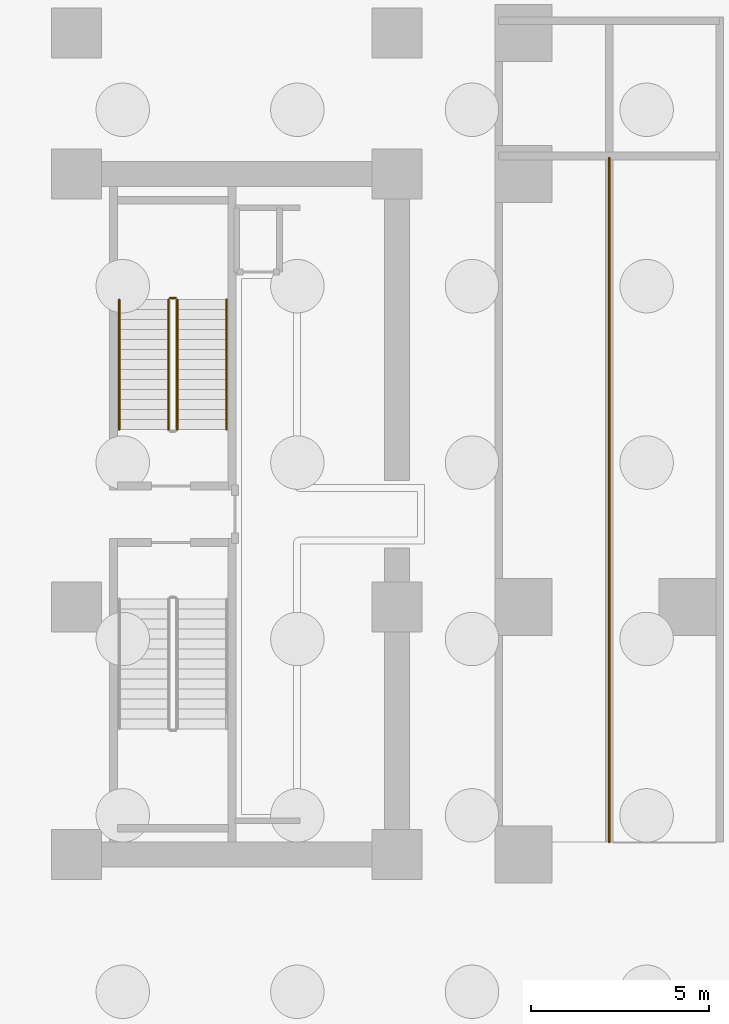
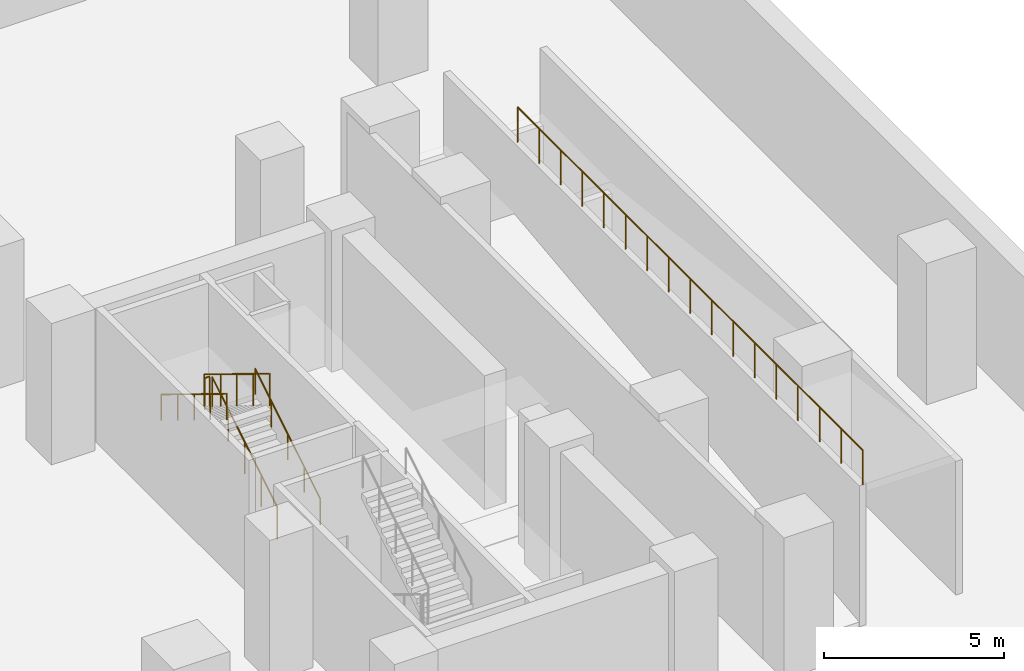
# One storey, part 9 of 10: 6 railings.
"""IFC4 building model written with IfcOpenShell, lengths in metres."""

from ifc_helpers import new_model, si_unit, direction, frame, origin, origin_2d, place, context, subcontext, project, spatial, circle, extrude, material, type_object, element, save


model = new_model("IFC4")

# Units and contexts
model_context = context("Model", 3, precision=1e-05, world=origin(), true_north=direction((0.0, 1.0)))
body_context = subcontext(model_context, "Body", "Model", "MODEL_VIEW")
ifc_project = project(units=[si_unit("LENGTHUNIT", "METRE"), si_unit("AREAUNIT", "SQUARE_METRE"), si_unit("VOLUMEUNIT", "CUBIC_METRE"), si_unit("PLANEANGLEUNIT", "RADIAN"), si_unit("MASSUNIT", "GRAM", prefix="KILO")], contexts=[model_context])

# Site, building, storey
site_placement = place(None, origin())
site = spatial("IfcSite", under=ifc_project, at=site_placement, CompositionType="ELEMENT")
building_placement = place(site_placement, origin())
building = spatial("IfcBuilding", under=site, at=building_placement, Name="Valdorenza Pilgrim Sanctuary Tower", CompositionType="ELEMENT")
storey_placement = place(building_placement, frame((0.0, 0.0, -9.60009765625)))
storey = spatial("IfcBuildingStorey", under=building, at=storey_placement, Name="B02", CompositionType="ELEMENT", Elevation=-9.60009765625)

# Railings
ifc_material_1 = material(Name="Stainless steel Grade 316", Category="steel")
railing_type_1 = type_object("IfcRailingType", Name="RLG-GRD-1120", PredefinedType="GUARDRAIL", material=ifc_material_1)
railing_1_placement = place(storey_placement, frame((30.800048828125, -9.199951171875, 4.800048828125)))
element("IfcRailing", 1, at=railing_1_placement, inside=storey, type_object=railing_type_1, Name="B02 Vehicle Ramp Center Safety Guard", PredefinedType="GUARDRAIL", context=body_context, shape_type="SweptSolid", body=[
    extrude(circle(Radius=0.02392578125, at=origin_2d()), frame((0.0, 0.0, 1.17578125), z_axis=(0.0, 1.0, 0.0), x_axis=(-1.0, 0.0, 0.0)), (0.0, 0.0, 1.0), 19.199951171875),
    extrude(circle(Radius=0.02099609375, at=origin_2d()), origin(), (0.0, 0.0, 1.0), 1.15185546875),
    extrude(circle(Radius=0.02099609375, at=origin_2d()), frame((0.0, 1.199951171875, 0.0)), (0.0, 0.0, 1.0), 1.15185546875),
    extrude(circle(Radius=0.02099609375, at=origin_2d()), frame((0.0, 2.39990234375, 0.0)), (0.0, 0.0, 1.0), 1.15185546875),
    extrude(circle(Radius=0.02099609375, at=origin_2d()), frame((0.0, 3.60009765625, 0.0)), (0.0, 0.0, 1.0), 1.15185546875),
    extrude(circle(Radius=0.02099609375, at=origin_2d()), frame((0.0, 4.800048828125, 0.0)), (0.0, 0.0, 1.0), 1.15185546875),
    extrude(circle(Radius=0.02099609375, at=origin_2d()), frame((0.0, 6.0, 0.0)), (0.0, 0.0, 1.0), 1.15185546875),
    extrude(circle(Radius=0.02099609375, at=origin_2d()), frame((0.0, 7.199951171875, 0.0)), (0.0, 0.0, 1.0), 1.15185546875),
    extrude(circle(Radius=0.02099609375, at=origin_2d()), frame((0.0, 8.39990234375, 0.0)), (0.0, 0.0, 1.0), 1.15185546875),
    extrude(circle(Radius=0.02099609375, at=origin_2d()), frame((0.0, 9.60009765625, 0.0)), (0.0, 0.0, 1.0), 1.15185546875),
    extrude(circle(Radius=0.02099609375, at=origin_2d()), frame((0.0, 10.800048828125, 0.0)), (0.0, 0.0, 1.0), 1.15185546875),
    extrude(circle(Radius=0.02099609375, at=origin_2d()), frame((0.0, 12.0, 0.0)), (0.0, 0.0, 1.0), 1.15185546875),
    extrude(circle(Radius=0.02099609375, at=origin_2d()), frame((0.0, 13.199951171875, 0.0)), (0.0, 0.0, 1.0), 1.15185546875),
    extrude(circle(Radius=0.02099609375, at=origin_2d()), frame((0.0, 14.39990234375, 0.0)), (0.0, 0.0, 1.0), 1.15185546875),
    extrude(circle(Radius=0.02099609375, at=origin_2d()), frame((0.0, 15.599853515625, 0.0)), (0.0, 0.0, 1.0), 1.15185546875),
    extrude(circle(Radius=0.02099609375, at=origin_2d()), frame((0.0, 16.800048828125, 0.0)), (0.0, 0.0, 1.0), 1.15185546875),
    extrude(circle(Radius=0.02099609375, at=origin_2d()), frame((0.0, 18.0, 0.0)), (0.0, 0.0, 1.0), 1.15185546875),
    extrude(circle(Radius=0.02099609375, at=origin_2d()), frame((0.0, 19.199951171875, 0.0)), (0.0, 0.0, 1.0), 1.15185546875),
])
railing_2_placement = place(storey_placement, frame((18.679931640625, 2.3798828125, 0.171630859375)))
element("IfcRailing", 2, at=railing_2_placement, inside=storey, type_object=railing_type_1, Name="B02 ST-B1 stair guard 1", PredefinedType="GUARDRAIL", context=body_context, shape_type="SweptSolid", body=[
    extrude(circle(Radius=0.02392578125, at=origin_2d()), frame((0.0, 0.0, 1.076171875), z_axis=(0.0, 0.852865859571, 0.52213008492), x_axis=(-1.0, 0.0, 0.0)), (0.0, 0.0, 1.0), 4.26806640625),
    extrude(circle(Radius=0.02099609375, at=origin_2d()), origin(), (0.0, 0.0, 1.0), 1.052001953125),
    extrude(circle(Radius=0.02099609375, at=origin_2d()), frame((0.0, 0.91015625, 0.55712890625)), (0.0, 0.0, 1.0), 1.052001953125),
    extrude(circle(Radius=0.02099609375, at=origin_2d()), frame((0.0, 1.820068359375, 1.1142578125)), (0.0, 0.0, 1.0), 1.052001953125),
    extrude(circle(Radius=0.02099609375, at=origin_2d()), frame((0.0, 2.72998046875, 1.67138671875)), (0.0, 0.0, 1.0), 1.052001953125),
    extrude(circle(Radius=0.02099609375, at=origin_2d()), frame((0.0, 3.64013671875, 2.228515625)), (0.0, 0.0, 1.0), 1.052001953125),
])
railing_3_placement = place(storey_placement, frame((18.6298828125, 6.070068359375, 2.400146484375)))
element("IfcRailing", 3, at=railing_3_placement, inside=storey, type_object=railing_type_1, Name="B02 ST-B1 stair guard 2", PredefinedType="GUARDRAIL", context=body_context, shape_type="SweptSolid", body=[
    extrude(circle(Radius=0.02392578125, at=origin_2d()), frame((0.0, 0.0, 1.076171875), z_axis=(-1.0, 0.0, 0.0), x_axis=(0.0, -1.0, 0.0)), (0.0, 0.0, 1.0), 0.14990234375),
    extrude(circle(Radius=0.02099609375, at=origin_2d()), origin(), (0.0, 0.0, 1.0), 1.052001953125),
    extrude(circle(Radius=0.02099609375, at=origin_2d()), frame((-0.14990234375, 0.0, 0.0)), (0.0, 0.0, 1.0), 1.052001953125),
])
railing_4_placement = place(storey_placement, frame((18.429931640625, 6.02001953125, 2.571533203125)))
element("IfcRailing", 4, at=railing_4_placement, inside=storey, type_object=railing_type_1, Name="B02 ST-B1 stair guard 3", PredefinedType="GUARDRAIL", context=body_context, shape_type="SweptSolid", body=[
    extrude(circle(Radius=0.02392578125, at=origin_2d()), frame((0.0, 0.0, 1.076171875), z_axis=(0.0, -0.852865859571, 0.52213008492), x_axis=(1.0, 0.0, 0.0)), (0.0, 0.0, 1.0), 4.26806640625),
    extrude(circle(Radius=0.02099609375, at=origin_2d()), origin(), (0.0, 0.0, 1.0), 1.052001953125),
    extrude(circle(Radius=0.02099609375, at=origin_2d()), frame((0.0, -0.91015625, 0.55712890625)), (0.0, 0.0, 1.0), 1.052001953125),
    extrude(circle(Radius=0.02099609375, at=origin_2d()), frame((0.0, -1.820068359375, 1.1142578125)), (0.0, 0.0, 1.0), 1.052001953125),
    extrude(circle(Radius=0.02099609375, at=origin_2d()), frame((0.0, -2.72998046875, 1.67138671875)), (0.0, 0.0, 1.0), 1.052001953125),
    extrude(circle(Radius=0.02099609375, at=origin_2d()), frame((0.0, -3.64013671875, 2.228515625)), (0.0, 0.0, 1.0), 1.052001953125),
])
ifc_material_2 = material(Name="Brushed stainless steel Grade 316", Category="steel")
railing_type_2 = type_object("IfcRailingType", Name="RLG-HND-920", PredefinedType="HANDRAIL", material=ifc_material_2)
railing_5_placement = place(storey_placement, frame((20.06005859375, 2.3798828125, 0.171630859375)))
element("IfcRailing", 5, at=railing_5_placement, inside=storey, type_object=railing_type_2, Name="B02 ST-B1 stair handrail 1", PredefinedType="HANDRAIL", context=body_context, shape_type="SweptSolid", body=[
    extrude(circle(Radius=0.02392578125, at=origin_2d()), frame((0.0, 0.0, 0.8759765625), z_axis=(0.0, 0.852865859571, 0.52213008492), x_axis=(-1.0, 0.0, 0.0)), (0.0, 0.0, 1.0), 4.26806640625),
    extrude(circle(Radius=0.02099609375, at=origin_2d()), origin(), (0.0, 0.0, 1.0), 0.851806640625),
    extrude(circle(Radius=0.02099609375, at=origin_2d()), frame((0.0, 0.91015625, 0.55712890625)), (0.0, 0.0, 1.0), 0.851806640625),
    extrude(circle(Radius=0.02099609375, at=origin_2d()), frame((0.0, 1.820068359375, 1.1142578125)), (0.0, 0.0, 1.0), 0.851806640625),
    extrude(circle(Radius=0.02099609375, at=origin_2d()), frame((0.0, 2.72998046875, 1.67138671875)), (0.0, 0.0, 1.0), 0.851806640625),
    extrude(circle(Radius=0.02099609375, at=origin_2d()), frame((0.0, 3.64013671875, 2.228515625)), (0.0, 0.0, 1.0), 0.851806640625),
])
railing_6_placement = place(storey_placement, frame((17.050048828125, 6.02001953125, 2.571533203125)))
element("IfcRailing", 6, at=railing_6_placement, inside=storey, type_object=railing_type_2, Name="B02 ST-B1 stair handrail 2", PredefinedType="HANDRAIL", context=body_context, shape_type="SweptSolid", body=[
    extrude(circle(Radius=0.02392578125, at=origin_2d()), frame((0.0, 0.0, 0.8759765625), z_axis=(0.0, -0.852865859571, 0.52213008492), x_axis=(1.0, 0.0, 0.0)), (0.0, 0.0, 1.0), 4.26806640625),
    extrude(circle(Radius=0.02099609375, at=origin_2d()), origin(), (0.0, 0.0, 1.0), 0.851806640625),
    extrude(circle(Radius=0.02099609375, at=origin_2d()), frame((0.0, -0.91015625, 0.55712890625)), (0.0, 0.0, 1.0), 0.851806640625),
    extrude(circle(Radius=0.02099609375, at=origin_2d()), frame((0.0, -1.820068359375, 1.1142578125)), (0.0, 0.0, 1.0), 0.851806640625),
    extrude(circle(Radius=0.02099609375, at=origin_2d()), frame((0.0, -2.72998046875, 1.67138671875)), (0.0, 0.0, 1.0), 0.851806640625),
    extrude(circle(Radius=0.02099609375, at=origin_2d()), frame((0.0, -3.64013671875, 2.228515625)), (0.0, 0.0, 1.0), 0.851806640625),
])

save(model, "model.ifc")
